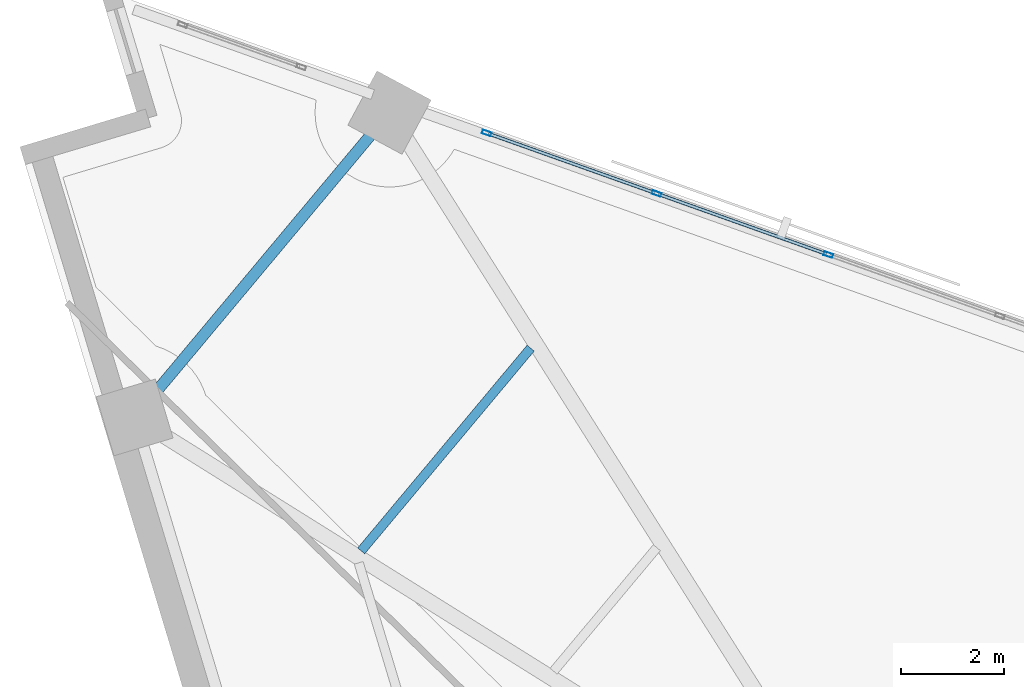
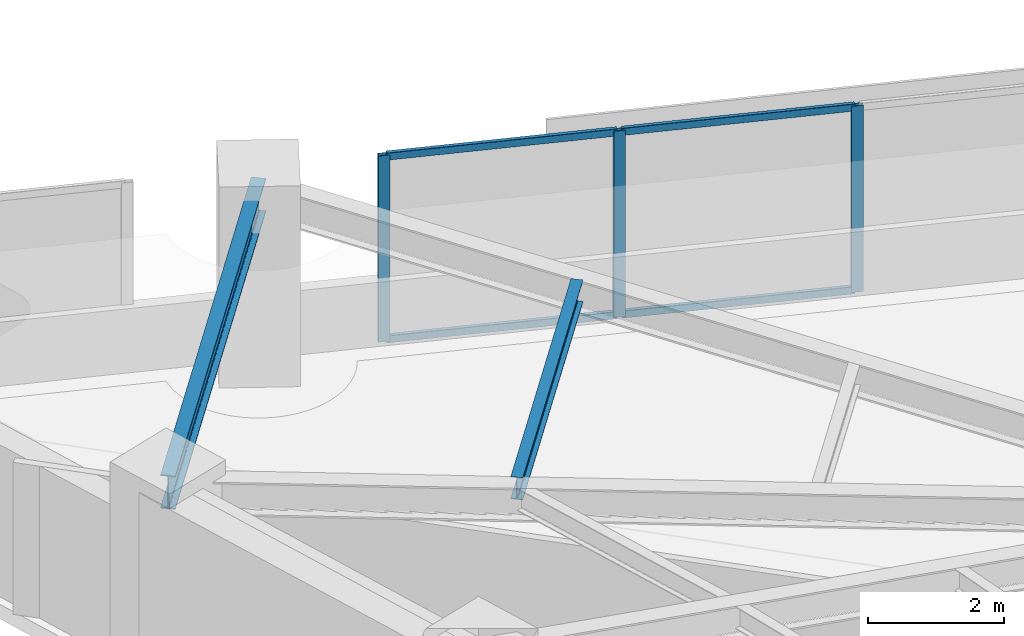
# One storey, part 6 of 17: 7 members, 2 beams, 1 element without a shape of its own.
"""IFC4 building model written with IfcOpenShell, lengths in metres."""

from ifc_helpers import new_model, si_unit, direction, frame, origin, origin_2d, place, context, subcontext, project, spatial, hollow_rectangle, i_section, extrude, material, material_profile, profile_set, type_object, element, aggregate, save


model = new_model("IFC4")

# Units and contexts
model_context = context("Model", 3, precision=1e-05, world=origin(), true_north=direction((0.0, 1.0)))
body_context = subcontext(model_context, "Body", "Model", "MODEL_VIEW")
ifc_project = project(units=[si_unit("LENGTHUNIT", "METRE"), si_unit("AREAUNIT", "SQUARE_METRE"), si_unit("VOLUMEUNIT", "CUBIC_METRE"), si_unit("PLANEANGLEUNIT", "RADIAN"), si_unit("MASSUNIT", "GRAM", prefix="KILO")], contexts=[model_context])

# Site, building, storey
site_placement = place(None, origin())
site = spatial("IfcSite", under=ifc_project, at=site_placement, CompositionType="ELEMENT")
building_placement = place(site_placement, origin())
building = spatial("IfcBuilding", under=site, at=building_placement, Name="Narakoshi Arena Tower", CompositionType="ELEMENT")
storey_placement = place(building_placement, frame((0.0, 0.0, 139.5)))
storey = spatial("IfcBuildingStorey", under=building, at=storey_placement, Name="L37", CompositionType="ELEMENT", Elevation=139.5)

# Beams
ifc_material_1 = material(Name="Structural steel S355J2", Category="steel")
ifc_material_profile_1 = material_profile(ifc_material_1, i_section(OverallWidth=0.219970703125, OverallDepth=0.60009765625, WebThickness=0.011962890625, FlangeThickness=0.01904296875, FilletRadius=0.02392578125, at=origin_2d()), Name="IPE600")
ifc_profile_set_1 = profile_set([ifc_material_profile_1], Name="Structural steel S355J2")
beam_type_1 = type_object("IfcBeamType", Name="BM-EDGE-600", PredefinedType="BEAM", material=ifc_profile_set_1)
beam_1_placement = place(storey_placement, frame((62.545166015625, 71.4501953125, 3.0400390625), z_axis=(-0.641406030011, -0.767201606272, 0.0), x_axis=(0.767201606272, -0.641406030011, 0.0)))
element("IfcBeam", 1, at=beam_1_placement, inside=storey, type_object=beam_type_1, Name="L37 Perimeter Edge Girder 09", PredefinedType="BEAM", context=body_context, shape_type="SweptSolid", body=[
    extrude(i_section(OverallWidth=0.219970703125, OverallDepth=0.60009765625, WebThickness=0.011962890625, FlangeThickness=0.01904296875, FilletRadius=0.02392578125, at=origin_2d()), origin(), (0.0, 0.0, 1.0), 7.73974609375),
])
ifc_material_profile_2 = material_profile(ifc_material_1, i_section(OverallWidth=0.179931640625, OverallDepth=0.39990234375, WebThickness=0.008544921875, FlangeThickness=0.013427734375, FilletRadius=0.02099609375, at=origin_2d()), Name="IPE400")
ifc_profile_set_2 = profile_set([ifc_material_profile_2], Name="Structural steel S355J2")
beam_type_2 = type_object("IfcBeamType", Name="BM-SEC-400", PredefinedType="JOIST", material=ifc_profile_set_2)
beam_2_placement = place(storey_placement, frame((65.295166015625, 66.861572265625, 3.139892578125), z_axis=(-0.641419724151, -0.767190157308, 0.0), x_axis=(0.767190157308, -0.641419724151, 0.0)))
element("IfcBeam", 2, at=beam_2_placement, inside=storey, type_object=beam_type_2, Name="L37 Composite Secondary Floor Joist 08", PredefinedType="JOIST", context=body_context, shape_type="SweptSolid", body=[
    extrude(i_section(OverallWidth=0.179931640625, OverallDepth=0.39990234375, WebThickness=0.008544921875, FlangeThickness=0.013427734375, FilletRadius=0.02099609375, at=origin_2d()), origin(), (0.0, 0.0, 1.0), 5.14794921875),
])

# Curtain wall, members
ifc_material_2 = material(Name="Anodised bronze aluminium 6063-T6", Category="aluminium")
curtain_wall_type = type_object("IfcCurtainWallType", Name="CW-HYP-MID", PredefinedType="NOTDEFINED", material=ifc_material_2)
curtain_wall_placement = place(storey_placement, origin())
curtain_wall = element("IfcCurtainWall", 3, at=curtain_wall_placement, inside=storey, type_object=curtain_wall_type, Name="L37 Folded Hypotenuse Curtain Wall 2-1", PredefinedType="NOTDEFINED")
ifc_material_profile_3 = material_profile(ifc_material_2, hollow_rectangle(XDim=0.074951171875, YDim=0.179931640625, WallThickness=0.00390625, OuterFilletRadius=0.0048828125, at=origin_2d()), Name="MUL180x75x4")
ifc_profile_set_3 = profile_set([ifc_material_profile_3], Name="Anodised bronze aluminium 6063-T6")
member_type_1 = type_object("IfcMemberType", Name="MEM-MUL-180", PredefinedType="MULLION", material=ifc_profile_set_3)
member_1_placement = place(storey_placement, frame((71.092529296875, 68.68212890625, 0.0), z_axis=(0.0, 0.0, 1.0), x_axis=(-0.335518297139, -0.94203368957, 0.0)))
member_1 = element("IfcMember", 4, at=member_1_placement, type_object=member_type_1, Name="CW-02 mullion 6", PredefinedType="MULLION", context=body_context, shape_type="SweptSolid", body=[
    extrude(hollow_rectangle(XDim=0.074951171875, YDim=0.179931640625, WallThickness=0.00390625, OuterFilletRadius=0.0048828125, at=origin_2d()), origin(), (0.0, 0.0, 1.0), 3.340087890625),
])
member_2_placement = place(storey_placement, frame((67.748046875, 69.873291015625, 0.0), z_axis=(0.0, 0.0, 1.0), x_axis=(-0.335518297139, -0.94203368957, 0.0)))
member_2 = element("IfcMember", 5, at=member_2_placement, type_object=member_type_1, Name="CW-02 mullion 7", PredefinedType="MULLION", context=body_context, shape_type="SweptSolid", body=[
    extrude(hollow_rectangle(XDim=0.074951171875, YDim=0.179931640625, WallThickness=0.00390625, OuterFilletRadius=0.0048828125, at=origin_2d()), origin(), (0.0, 0.0, 1.0), 3.340087890625),
])
member_3_placement = place(storey_placement, frame((64.438720703125, 71.052001953125, 0.0), z_axis=(0.0, 0.0, 1.0), x_axis=(-0.335518297139, -0.94203368957, 0.0)))
member_3 = element("IfcMember", 6, at=member_3_placement, type_object=member_type_1, Name="CW-02 mullion 8", PredefinedType="MULLION", context=body_context, shape_type="SweptSolid", body=[
    extrude(hollow_rectangle(XDim=0.074951171875, YDim=0.179931640625, WallThickness=0.00390625, OuterFilletRadius=0.0048828125, at=origin_2d()), origin(), (0.0, 0.0, 1.0), 3.340087890625),
])
ifc_material_profile_4 = material_profile(ifc_material_2, hollow_rectangle(XDim=0.06494140625, YDim=0.1298828125, WallThickness=0.00390625, OuterFilletRadius=0.0048828125, at=origin_2d()), Name="TRN130x65x4")
ifc_profile_set_4 = profile_set([ifc_material_profile_4], Name="Anodised bronze aluminium 6063-T6")
member_type_2 = type_object("IfcMemberType", Name="MEM-TRN-130", PredefinedType="USERDEFINED", material=ifc_profile_set_4)
member_4_placement = place(storey_placement, frame((71.05712890625, 68.694580078125, 0.032470703125), z_axis=(-0.942014960696, 0.335570877498, 0.0), x_axis=(-0.335570877498, -0.942014960696, 0.0)))
member_4 = element("IfcMember", 7, at=member_4_placement, type_object=member_type_2, Name="CW-02 transom 6.1", ObjectType="TRANSOM", PredefinedType="USERDEFINED", context=body_context, shape_type="SweptSolid", body=[
    extrude(hollow_rectangle(XDim=0.06494140625, YDim=0.1298828125, WallThickness=0.00390625, OuterFilletRadius=0.0048828125, at=origin_2d()), origin(), (0.0, 0.0, 1.0), 3.475341796875),
])
member_5_placement = place(storey_placement, frame((71.05712890625, 68.694580078125, 3.3076171875), z_axis=(-0.942014960696, 0.335570877498, 0.0), x_axis=(-0.335570877498, -0.942014960696, 0.0)))
member_5 = element("IfcMember", 8, at=member_5_placement, type_object=member_type_2, Name="CW-02 transom 6.2", ObjectType="TRANSOM", PredefinedType="USERDEFINED", context=body_context, shape_type="SweptSolid", body=[
    extrude(hollow_rectangle(XDim=0.06494140625, YDim=0.1298828125, WallThickness=0.00390625, OuterFilletRadius=0.0048828125, at=origin_2d()), origin(), (0.0, 0.0, 1.0), 3.475341796875),
])
member_6_placement = place(storey_placement, frame((67.712646484375, 69.885986328125, 0.032470703125), z_axis=(-0.942045199235, 0.335485979735, 0.0), x_axis=(-0.335485979735, -0.942045199235, 0.0)))
member_6 = element("IfcMember", 9, at=member_6_placement, type_object=member_type_2, Name="CW-02 transom 7.1", ObjectType="TRANSOM", PredefinedType="USERDEFINED", context=body_context, shape_type="SweptSolid", body=[
    extrude(hollow_rectangle(XDim=0.06494140625, YDim=0.1298828125, WallThickness=0.00390625, OuterFilletRadius=0.0048828125, at=origin_2d()), origin(), (0.0, 0.0, 1.0), 3.437744140625),
])
member_7_placement = place(storey_placement, frame((67.712646484375, 69.885986328125, 3.3076171875), z_axis=(-0.942045199235, 0.335485979735, 0.0), x_axis=(-0.335485979735, -0.942045199235, 0.0)))
member_7 = element("IfcMember", 10, at=member_7_placement, type_object=member_type_2, Name="CW-02 transom 7.2", ObjectType="TRANSOM", PredefinedType="USERDEFINED", context=body_context, shape_type="SweptSolid", body=[
    extrude(hollow_rectangle(XDim=0.06494140625, YDim=0.1298828125, WallThickness=0.00390625, OuterFilletRadius=0.0048828125, at=origin_2d()), origin(), (0.0, 0.0, 1.0), 3.437744140625),
])
aggregate(curtain_wall, [member_1, member_2, member_3, member_4, member_5, member_6, member_7])

save(model, "model.ifc")
